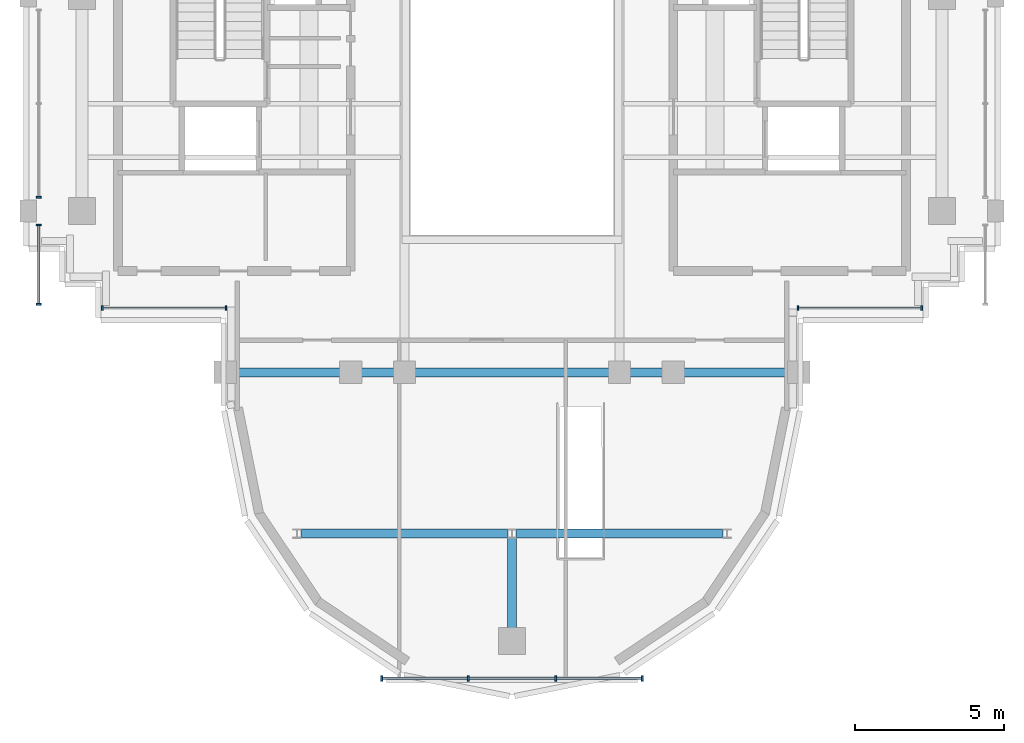
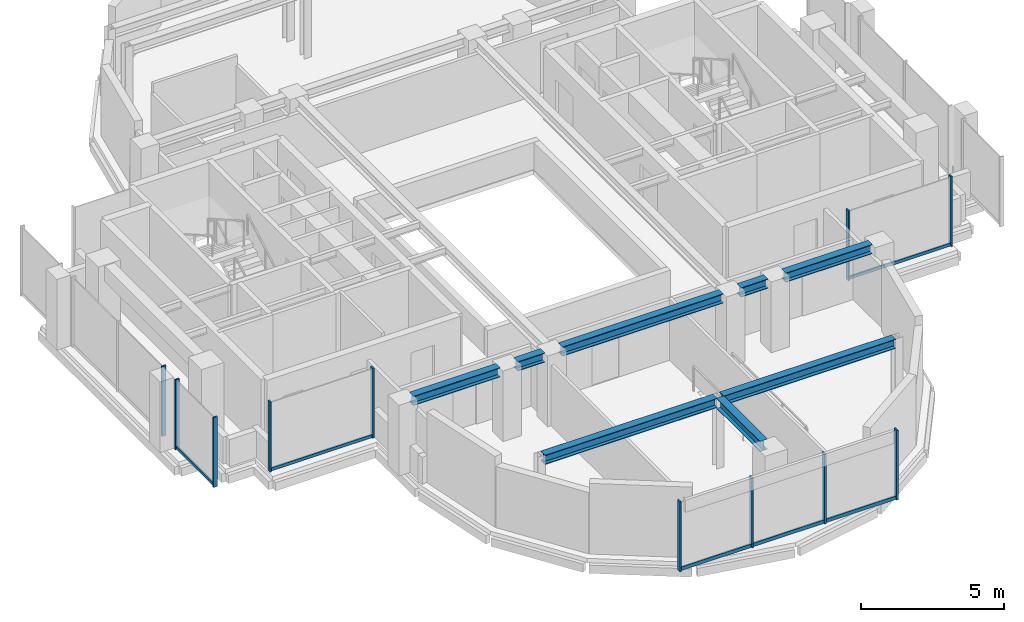
# One storey, part 3 of 11: 17 members, 8 beams, 5 elements without a shape of their own.
"""IFC4 building model written with IfcOpenShell, lengths in metres."""

from ifc_helpers import new_model, si_unit, direction, frame, origin, origin_2d, place, context, subcontext, project, spatial, rectangle, i_section, extrude, source, transform, mapped, material, material_profile, profile_set, type_object, element, aggregate, save


model = new_model("IFC4")

# Units and contexts
model_context = context("Model", 3, precision=1e-05, world=origin(), true_north=direction((0.0, 1.0)))
body_context = subcontext(model_context, "Body", "Model", "MODEL_VIEW")
ifc_project = project(units=[si_unit("LENGTHUNIT", "METRE"), si_unit("AREAUNIT", "SQUARE_METRE"), si_unit("VOLUMEUNIT", "CUBIC_METRE"), si_unit("PLANEANGLEUNIT", "RADIAN"), si_unit("MASSUNIT", "GRAM", prefix="KILO")], contexts=[model_context])

# Site, building, storey
site_placement = place(None, origin())
site = spatial("IfcSite", under=ifc_project, at=site_placement, CompositionType="ELEMENT")
building_placement = place(site_placement, origin())
building = spatial("IfcBuilding", under=site, at=building_placement, Name="Keilestroom Media Tower", CompositionType="ELEMENT")
storey_placement = place(building_placement, frame((0.0, 0.0, 255.60009765625)))
storey = spatial("IfcBuildingStorey", under=building, at=storey_placement, Name="L71", CompositionType="ELEMENT", Elevation=255.60009765625)

# Beams
ifc_material_1 = material(Name="Steel S355", Category="steel")
ifc_material_profile_1 = material_profile(ifc_material_1, i_section(OverallWidth=0.300048828125, OverallDepth=0.39990234375, WebThickness=0.011474609375, FlangeThickness=0.02392578125, at=origin_2d()), Name="HEB 400")
ifc_profile_set_1 = profile_set([ifc_material_profile_1], Name="Steel S355")
beam_type_1 = type_object("IfcBeamType", Name="Primary-Structural-Girder-HEB-400", PredefinedType="BEAM", material=ifc_profile_set_1)
shared_shape_1 = source(origin(), body_context, "Body", "SweptSolid", [
    extrude(i_section(OverallWidth=0.300048828125, OverallDepth=0.39990234375, WebThickness=0.011474609375, FlangeThickness=0.02392578125, at=origin_2d()), origin(), (0.0, 0.0, 1.0), 6.940185546875),
])
for number, where, z_axis, x_axis, name in (
    (1, (-7.070068359375, -14.39990234375, 2.809814453125), (1.0, 0.0, 0.0), (0.0, 1.0, 0.0), "L71 Beam BG-8 BM-L71-EW-001"),
    (2, (0.1298828125, -14.39990234375, 2.809814453125), (1.0, 0.0, 0.0), (0.0, 1.0, 0.0), "L71 Beam BG-8 BM-L71-EW-002"),
):
    element("IfcBeam", number, at=place(storey_placement, frame(where, z_axis=z_axis, x_axis=x_axis)), inside=storey, type_object=beam_type_1, Name=name, PredefinedType="BEAM", context=body_context, shape_type="MappedRepresentation", body=[
        mapped(shared_shape_1, transform((0.0, 0.0, 0.0), x_axis=(1.0, 0.0, 0.0), y_axis=(0.0, 1.0, 0.0), z_axis=(0.0, 0.0, 1.0), scale=1.0)),
    ])
shared_shape_2 = source(origin(), body_context, "Body", "SweptSolid", [
    extrude(i_section(OverallWidth=0.300048828125, OverallDepth=0.39990234375, WebThickness=0.011474609375, FlangeThickness=0.02392578125, at=origin_2d()), origin(), (0.0, 0.0, 1.0), 3.490234375),
])
for number, where, z_axis, x_axis, name in (
    (3, (-9.2451171875, -9.0, 2.809814453125), (1.0, 0.0, 0.0), (0.0, 1.0, 0.0), "L71 Beam BG-8 BM-L71-EW-003"),
    (4, (5.7548828125, -9.0, 2.809814453125), (1.0, 0.0, 0.0), (0.0, 1.0, 0.0), "L71 Beam BG-8 BM-L71-EW-007"),
):
    element("IfcBeam", number, at=place(storey_placement, frame(where, z_axis=z_axis, x_axis=x_axis)), inside=storey, type_object=beam_type_1, Name=name, PredefinedType="BEAM", context=body_context, shape_type="MappedRepresentation", body=[
        mapped(shared_shape_2, transform((0.0, 0.0, 0.0), x_axis=(1.0, 0.0, 0.0), y_axis=(0.0, 1.0, 0.0), z_axis=(0.0, 0.0, 1.0), scale=1.0)),
    ])
shared_shape_3 = source(origin(), body_context, "Body", "SweptSolid", [
    extrude(i_section(OverallWidth=0.300048828125, OverallDepth=0.39990234375, WebThickness=0.011474609375, FlangeThickness=0.02392578125, at=origin_2d()), origin(), (0.0, 0.0, 1.0), 1.08984375),
])
for number, where, z_axis, x_axis, name in (
    (5, (-5.044921875, -9.0, 2.809814453125), (1.0, 0.0, 0.0), (0.0, 1.0, 0.0), "L71 Beam BG-8 BM-L71-EW-004"),
    (6, (3.955078125, -9.0, 2.809814453125), (1.0, 0.0, 0.0), (0.0, 1.0, 0.0), "L71 Beam BG-8 BM-L71-EW-006"),
):
    element("IfcBeam", number, at=place(storey_placement, frame(where, z_axis=z_axis, x_axis=x_axis)), inside=storey, type_object=beam_type_1, Name=name, PredefinedType="BEAM", context=body_context, shape_type="MappedRepresentation", body=[
        mapped(shared_shape_3, transform((0.0, 0.0, 0.0), x_axis=(1.0, 0.0, 0.0), y_axis=(0.0, 1.0, 0.0), z_axis=(0.0, 0.0, 1.0), scale=1.0)),
    ])
shared_shape_4 = source(origin(), body_context, "Body", "SweptSolid", [
    extrude(i_section(OverallWidth=0.300048828125, OverallDepth=0.39990234375, WebThickness=0.011474609375, FlangeThickness=0.02392578125, at=origin_2d()), origin(), (0.0, 0.0, 1.0), 6.490234375),
])
beam_1_placement = place(storey_placement, frame((-3.2451171875, -9.0, 2.809814453125), z_axis=(1.0, 0.0, 0.0), x_axis=(0.0, 1.0, 0.0)))
element("IfcBeam", 7, at=beam_1_placement, inside=storey, type_object=beam_type_1, Name="L71 Beam BG-8 BM-L71-EW-005", PredefinedType="BEAM", context=body_context, shape_type="MappedRepresentation", body=[
    mapped(shared_shape_4, transform((0.0, 0.0, 0.0), x_axis=(1.0, 0.0, 0.0), y_axis=(0.0, 1.0, 0.0), z_axis=(0.0, 0.0, 1.0), scale=1.0)),
])
ifc_material_profile_2 = material_profile(ifc_material_1, i_section(OverallWidth=0.300048828125, OverallDepth=0.43994140625, WebThickness=0.011474609375, FlangeThickness=0.02099609375, at=origin_2d()), Name="HEA 450")
ifc_profile_set_2 = profile_set([ifc_material_profile_2], Name="Steel S355")
beam_type_2 = type_object("IfcBeamType", Name="Primary-Structural-Girder-HEA-450", PredefinedType="BEAM", material=ifc_profile_set_2)
shared_shape_5 = source(origin(), body_context, "Body", "SweptSolid", [
    extrude(i_section(OverallWidth=0.300048828125, OverallDepth=0.43994140625, WebThickness=0.011474609375, FlangeThickness=0.02099609375, at=origin_2d()), origin(), (0.0, 0.0, 1.0), 3.0400390625),
])
beam_2_placement = place(storey_placement, frame((0.0, -17.570068359375, 2.789794921875), z_axis=(0.0, 1.0, 0.0), x_axis=(-1.0, 0.0, 0.0)))
element("IfcBeam", 8, at=beam_2_placement, inside=storey, type_object=beam_type_2, Name="L71 Beam BG-11 BM-L71-NS-022", PredefinedType="BEAM", context=body_context, shape_type="MappedRepresentation", body=[
    mapped(shared_shape_5, transform((0.0, 0.0, 0.0), x_axis=(1.0, 0.0, 0.0), y_axis=(0.0, 1.0, 0.0), z_axis=(0.0, 0.0, 1.0), scale=1.0)),
])

# Curtain wall, members
ifc_material_2 = material(Name="Anodised Aluminium Alloy", Category="aluminium")
curtain_wall_type_1 = type_object("IfcCurtainWallType", Name="Unitised-Curtain-Wall-CW-6", PredefinedType="NOTDEFINED", material=ifc_material_2)
curtain_wall_1_placement = place(storey_placement, origin())
curtain_wall_1 = element("IfcCurtainWall", 9, at=curtain_wall_1_placement, inside=storey, type_object=curtain_wall_type_1, Name="L71 Curtain Wall CW-6 CW-L71-LS-1", PredefinedType="NOTDEFINED")
ifc_material_profile_3 = material_profile(ifc_material_2, rectangle(XDim=0.06494140625, YDim=0.179931640625, at=origin_2d()), Name="ALU MULLION 65x180")
ifc_profile_set_3 = profile_set([ifc_material_profile_3], Name="Anodised Aluminium Alloy")
member_type_1 = type_object("IfcMemberType", Name="Curtain-Wall-Mullion-CW-6", PredefinedType="MULLION", material=ifc_profile_set_3)
shared_shape_6 = source(origin(), body_context, "Body", "SweptSolid", [
    extrude(rectangle(XDim=0.06494140625, YDim=0.179931640625, at=origin_2d()), origin(), (0.0, 0.0, 1.0), 2.97998046875),
])
member_1_placement = place(storey_placement, frame((-4.367431640625, -19.25, 0.0), z_axis=(0.0, 0.0, 1.0), x_axis=(1.0, 0.0, 0.0)))
member_1 = element("IfcMember", 10, at=member_1_placement, type_object=member_type_1, Name="CW-6 Mullion 00", PredefinedType="MULLION", context=body_context, shape_type="MappedRepresentation", body=[
    mapped(shared_shape_6, transform((0.0, 0.0, 0.0), x_axis=(1.0, 0.0, 0.0), y_axis=(0.0, 1.0, 0.0), z_axis=(0.0, 0.0, 1.0), scale=1.0)),
])
member_2_placement = place(storey_placement, frame((-1.466796875, -19.25, 0.0), z_axis=(0.0, 0.0, 1.0), x_axis=(1.0, 0.0, 0.0)))
member_2 = element("IfcMember", 11, at=member_2_placement, type_object=member_type_1, Name="CW-6 Mullion 01", PredefinedType="MULLION", context=body_context, shape_type="MappedRepresentation", body=[
    mapped(shared_shape_6, transform((0.0, 0.0, 0.0), x_axis=(1.0, 0.0, 0.0), y_axis=(0.0, 1.0, 0.0), z_axis=(0.0, 0.0, 1.0), scale=1.0)),
])
member_3_placement = place(storey_placement, frame((1.466796875, -19.25, 0.0), z_axis=(0.0, 0.0, 1.0), x_axis=(1.0, 0.0, 0.0)))
member_3 = element("IfcMember", 12, at=member_3_placement, type_object=member_type_1, Name="CW-6 Mullion 02", PredefinedType="MULLION", context=body_context, shape_type="MappedRepresentation", body=[
    mapped(shared_shape_6, transform((0.0, 0.0, 0.0), x_axis=(1.0, 0.0, 0.0), y_axis=(0.0, 1.0, 0.0), z_axis=(0.0, 0.0, 1.0), scale=1.0)),
])
member_4_placement = place(storey_placement, frame((4.367431640625, -19.25, 0.0), z_axis=(0.0, 0.0, 1.0), x_axis=(1.0, 0.0, 0.0)))
member_4 = element("IfcMember", 13, at=member_4_placement, type_object=member_type_1, Name="CW-6 Mullion 03", PredefinedType="MULLION", context=body_context, shape_type="MappedRepresentation", body=[
    mapped(shared_shape_6, transform((0.0, 0.0, 0.0), x_axis=(1.0, 0.0, 0.0), y_axis=(0.0, 1.0, 0.0), z_axis=(0.0, 0.0, 1.0), scale=1.0)),
])
ifc_material_profile_4 = material_profile(ifc_material_2, rectangle(XDim=0.06494140625, YDim=0.14990234375, at=origin_2d()), Name="ALU TRANSOM 65x150")
ifc_profile_set_4 = profile_set([ifc_material_profile_4], Name="Anodised Aluminium Alloy")
member_type_2 = type_object("IfcMemberType", Name="Curtain-Wall-Transom-CW-6", PredefinedType="USERDEFINED", material=ifc_profile_set_4)
shared_shape_7 = source(origin(), body_context, "Body", "SweptSolid", [
    extrude(rectangle(XDim=0.06494140625, YDim=0.14990234375, at=origin_2d()), origin(), (0.0, 0.0, 1.0), 2.839599609375),
])
member_5_placement = place(storey_placement, frame((-4.3369140625, -19.25, 0.074951171875), z_axis=(1.0, 0.0, 0.0), x_axis=(0.0, 1.0, 0.0)))
member_5 = element("IfcMember", 14, at=member_5_placement, type_object=member_type_2, Name="CW-6 Transom 00.1", ObjectType="TRANSOM", PredefinedType="USERDEFINED", context=body_context, shape_type="MappedRepresentation", body=[
    mapped(shared_shape_7, transform((0.0, 0.0, 0.0), x_axis=(1.0, 0.0, 0.0), y_axis=(0.0, 1.0, 0.0), z_axis=(0.0, 0.0, 1.0), scale=1.0)),
])
member_6_placement = place(storey_placement, frame((1.497314453125, -19.25, 0.074951171875), z_axis=(1.0, 0.0, 0.0), x_axis=(0.0, 1.0, 0.0)))
member_6 = element("IfcMember", 15, at=member_6_placement, type_object=member_type_2, Name="CW-6 Transom 02.1", ObjectType="TRANSOM", PredefinedType="USERDEFINED", context=body_context, shape_type="MappedRepresentation", body=[
    mapped(shared_shape_7, transform((0.0, 0.0, 0.0), x_axis=(1.0, 0.0, 0.0), y_axis=(0.0, 1.0, 0.0), z_axis=(0.0, 0.0, 1.0), scale=1.0)),
])
shared_shape_8 = source(origin(), body_context, "Body", "SweptSolid", [
    extrude(rectangle(XDim=0.06494140625, YDim=0.14990234375, at=origin_2d()), origin(), (0.0, 0.0, 1.0), 2.87255859375),
])
member_7_placement = place(storey_placement, frame((-1.436279296875, -19.25, 0.074951171875), z_axis=(1.0, 0.0, 0.0), x_axis=(0.0, 1.0, 0.0)))
member_7 = element("IfcMember", 16, at=member_7_placement, type_object=member_type_2, Name="CW-6 Transom 01.1", ObjectType="TRANSOM", PredefinedType="USERDEFINED", context=body_context, shape_type="MappedRepresentation", body=[
    mapped(shared_shape_8, transform((0.0, 0.0, 0.0), x_axis=(1.0, 0.0, 0.0), y_axis=(0.0, 1.0, 0.0), z_axis=(0.0, 0.0, 1.0), scale=1.0)),
])
aggregate(curtain_wall_1, [member_1, member_2, member_3, member_4, member_5, member_7, member_6])

curtain_wall_type_2 = type_object("IfcCurtainWallType", Name="Unitised-Curtain-Wall-CW-4", PredefinedType="NOTDEFINED", material=ifc_material_2)
curtain_wall_2_placement = place(storey_placement, origin())
curtain_wall_2 = element("IfcCurtainWall", 17, at=curtain_wall_2_placement, inside=storey, type_object=curtain_wall_type_2, Name="L71 Curtain Wall CW-4 CW-L71-W-1", PredefinedType="NOTDEFINED")
ifc_material_profile_5 = material_profile(ifc_material_2, rectangle(XDim=0.06005859375, YDim=0.159912109375, at=origin_2d()), Name="ALU MULLION 60x160")
ifc_profile_set_5 = profile_set([ifc_material_profile_5], Name="Anodised Aluminium Alloy")
member_type_3 = type_object("IfcMemberType", Name="Curtain-Wall-Mullion-CW-4", PredefinedType="MULLION", material=ifc_profile_set_5)
shared_shape_9 = source(origin(), body_context, "Body", "SweptSolid", [
    extrude(rectangle(XDim=0.06005859375, YDim=0.159912109375, at=origin_2d()), origin(), (0.0, 0.0, 1.0), 2.97998046875),
])
member_8_placement = place(storey_placement, frame((-15.85009765625, -6.719970703125, 0.0), z_axis=(0.0, 0.0, 1.0), x_axis=(0.0, 1.0, 0.0)))
member_8 = element("IfcMember", 18, at=member_8_placement, type_object=member_type_3, Name="CW-4 Mullion 00", PredefinedType="MULLION", context=body_context, shape_type="MappedRepresentation", body=[
    mapped(shared_shape_9, transform((0.0, 0.0, 0.0), x_axis=(1.0, 0.0, 0.0), y_axis=(0.0, 1.0, 0.0), z_axis=(0.0, 0.0, 1.0), scale=1.0)),
])
member_9_placement = place(storey_placement, frame((-15.85009765625, -4.06494140625, 0.0), z_axis=(0.0, 0.0, 1.0), x_axis=(0.0, 1.0, 0.0)))
member_9 = element("IfcMember", 19, at=member_9_placement, type_object=member_type_3, Name="CW-4 Mullion 01", PredefinedType="MULLION", context=body_context, shape_type="MappedRepresentation", body=[
    mapped(shared_shape_9, transform((0.0, 0.0, 0.0), x_axis=(1.0, 0.0, 0.0), y_axis=(0.0, 1.0, 0.0), z_axis=(0.0, 0.0, 1.0), scale=1.0)),
])

# Curtain wall, member
curtain_wall_3_placement = place(storey_placement, origin())
curtain_wall_3 = element("IfcCurtainWall", 20, at=curtain_wall_3_placement, inside=storey, type_object=curtain_wall_type_2, Name="L71 Curtain Wall CW-4 CW-L71-W-2", PredefinedType="NOTDEFINED")
member_10_placement = place(storey_placement, frame((-15.85009765625, -3.135009765625, 0.0), z_axis=(0.0, 0.0, 1.0), x_axis=(0.0, 1.0, 0.0)))
member_10 = element("IfcMember", 21, at=member_10_placement, type_object=member_type_3, Name="CW-4 Mullion 00", PredefinedType="MULLION", context=body_context, shape_type="MappedRepresentation", body=[
    mapped(shared_shape_9, transform((0.0, 0.0, 0.0), x_axis=(1.0, 0.0, 0.0), y_axis=(0.0, 1.0, 0.0), z_axis=(0.0, 0.0, 1.0), scale=1.0)),
])
aggregate(curtain_wall_3, [member_10])

# Curtain wall, members
curtain_wall_4_placement = place(storey_placement, origin())
curtain_wall_4 = element("IfcCurtainWall", 22, at=curtain_wall_4_placement, inside=storey, type_object=curtain_wall_type_2, Name="L71 Curtain Wall CW-4 CW-L71-SW-1", PredefinedType="NOTDEFINED")
member_11_placement = place(storey_placement, frame((-13.719970703125, -6.85009765625, 0.0), z_axis=(0.0, 0.0, 1.0), x_axis=(1.0, 0.0, 0.0)))
member_11 = element("IfcMember", 23, at=member_11_placement, type_object=member_type_3, Name="CW-4 Mullion 00", PredefinedType="MULLION", context=body_context, shape_type="MappedRepresentation", body=[
    mapped(shared_shape_9, transform((0.0, 0.0, 0.0), x_axis=(1.0, 0.0, 0.0), y_axis=(0.0, 1.0, 0.0), z_axis=(0.0, 0.0, 1.0), scale=1.0)),
])
member_12_placement = place(storey_placement, frame((-9.580078125, -6.85009765625, 0.0), z_axis=(0.0, 0.0, 1.0), x_axis=(1.0, 0.0, 0.0)))
member_12 = element("IfcMember", 24, at=member_12_placement, type_object=member_type_3, Name="CW-4 Mullion 01", PredefinedType="MULLION", context=body_context, shape_type="MappedRepresentation", body=[
    mapped(shared_shape_9, transform((0.0, 0.0, 0.0), x_axis=(1.0, 0.0, 0.0), y_axis=(0.0, 1.0, 0.0), z_axis=(0.0, 0.0, 1.0), scale=1.0)),
])

curtain_wall_5_placement = place(storey_placement, origin())
curtain_wall_5 = element("IfcCurtainWall", 25, at=curtain_wall_5_placement, inside=storey, type_object=curtain_wall_type_2, Name="L71 Curtain Wall CW-4 CW-L71-SE-1", PredefinedType="NOTDEFINED")
member_13_placement = place(storey_placement, frame((9.580078125, -6.85009765625, 0.0), z_axis=(0.0, 0.0, 1.0), x_axis=(1.0, 0.0, 0.0)))
member_13 = element("IfcMember", 26, at=member_13_placement, type_object=member_type_3, Name="CW-4 Mullion 00", PredefinedType="MULLION", context=body_context, shape_type="MappedRepresentation", body=[
    mapped(shared_shape_9, transform((0.0, 0.0, 0.0), x_axis=(1.0, 0.0, 0.0), y_axis=(0.0, 1.0, 0.0), z_axis=(0.0, 0.0, 1.0), scale=1.0)),
])
member_14_placement = place(storey_placement, frame((13.719970703125, -6.85009765625, 0.0), z_axis=(0.0, 0.0, 1.0), x_axis=(1.0, 0.0, 0.0)))
member_14 = element("IfcMember", 27, at=member_14_placement, type_object=member_type_3, Name="CW-4 Mullion 01", PredefinedType="MULLION", context=body_context, shape_type="MappedRepresentation", body=[
    mapped(shared_shape_9, transform((0.0, 0.0, 0.0), x_axis=(1.0, 0.0, 0.0), y_axis=(0.0, 1.0, 0.0), z_axis=(0.0, 0.0, 1.0), scale=1.0)),
])

# Member
ifc_material_profile_6 = material_profile(ifc_material_2, rectangle(XDim=0.06005859375, YDim=0.1298828125, at=origin_2d()), Name="ALU TRANSOM 60x130")
ifc_profile_set_6 = profile_set([ifc_material_profile_6], Name="Anodised Aluminium Alloy")
member_type_4 = type_object("IfcMemberType", Name="Curtain-Wall-Transom-CW-4", PredefinedType="USERDEFINED", material=ifc_profile_set_6)
shared_shape_10 = source(origin(), body_context, "Body", "SweptSolid", [
    extrude(rectangle(XDim=0.06005859375, YDim=0.1298828125, at=origin_2d()), origin(), (0.0, 0.0, 1.0), 2.598876953125),
])
member_15_placement = place(storey_placement, frame((-15.85009765625, -6.69189453125, 0.06494140625), z_axis=(0.0, 1.0, 0.0), x_axis=(-1.0, 0.0, 0.0)))
member_15 = element("IfcMember", 28, at=member_15_placement, type_object=member_type_4, Name="CW-4 Transom 00.1", ObjectType="TRANSOM", PredefinedType="USERDEFINED", context=body_context, shape_type="MappedRepresentation", body=[
    mapped(shared_shape_10, transform((0.0, 0.0, 0.0), x_axis=(1.0, 0.0, 0.0), y_axis=(0.0, 1.0, 0.0), z_axis=(0.0, 0.0, 1.0), scale=1.0)),
])

aggregate(curtain_wall_2, [member_8, member_9, member_15])

shared_shape_11 = source(origin(), body_context, "Body", "SweptSolid", [
    extrude(rectangle(XDim=0.06005859375, YDim=0.1298828125, at=origin_2d()), origin(), (0.0, 0.0, 1.0), 4.083984375),
])
member_16_placement = place(storey_placement, frame((-13.69189453125, -6.85009765625, 0.06494140625), z_axis=(1.0, 0.0, 0.0), x_axis=(0.0, 1.0, 0.0)))
member_16 = element("IfcMember", 29, at=member_16_placement, type_object=member_type_4, Name="CW-4 Transom 00.1", ObjectType="TRANSOM", PredefinedType="USERDEFINED", context=body_context, shape_type="MappedRepresentation", body=[
    mapped(shared_shape_11, transform((0.0, 0.0, 0.0), x_axis=(1.0, 0.0, 0.0), y_axis=(0.0, 1.0, 0.0), z_axis=(0.0, 0.0, 1.0), scale=1.0)),
])

aggregate(curtain_wall_4, [member_11, member_12, member_16])

member_17_placement = place(storey_placement, frame((9.60791015625, -6.85009765625, 0.06494140625), z_axis=(1.0, 0.0, 0.0), x_axis=(0.0, 1.0, 0.0)))
member_17 = element("IfcMember", 30, at=member_17_placement, type_object=member_type_4, Name="CW-4 Transom 00.1", ObjectType="TRANSOM", PredefinedType="USERDEFINED", context=body_context, shape_type="MappedRepresentation", body=[
    mapped(shared_shape_11, transform((0.0, 0.0, 0.0), x_axis=(1.0, 0.0, 0.0), y_axis=(0.0, 1.0, 0.0), z_axis=(0.0, 0.0, 1.0), scale=1.0)),
])

aggregate(curtain_wall_5, [member_13, member_14, member_17])

save(model, "model.ifc")
